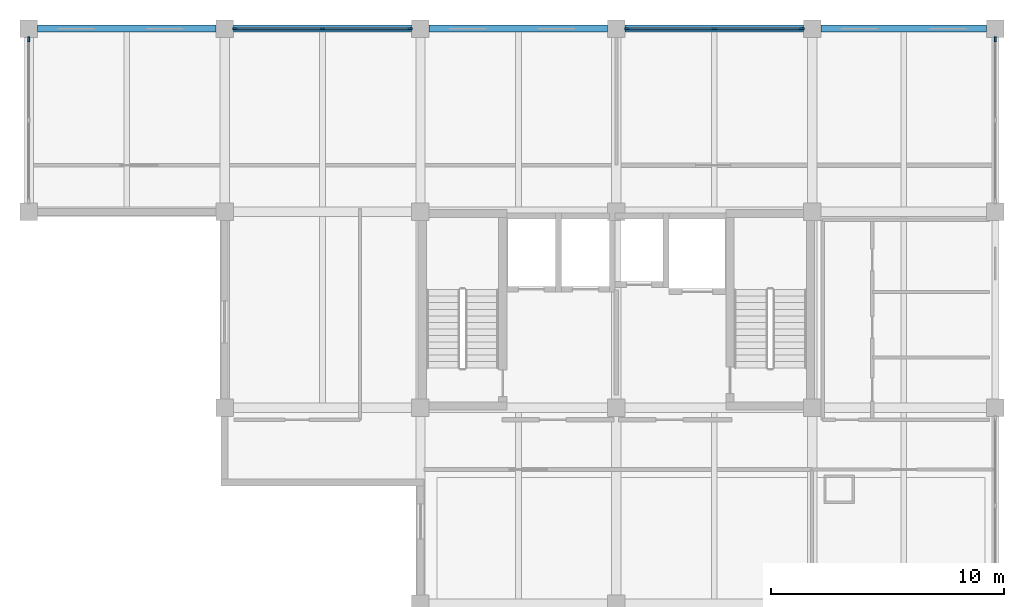
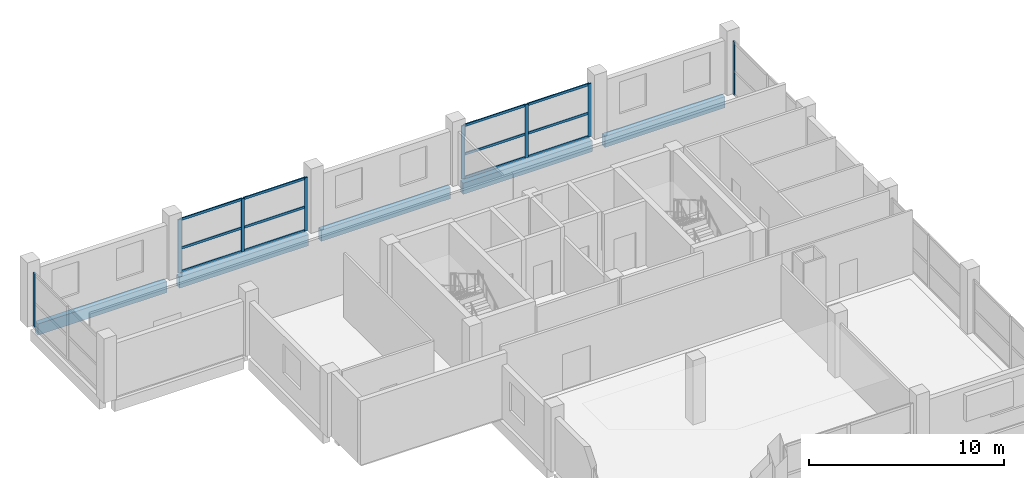
# One storey, part 5 of 9: 20 members, 5 beams, 4 elements without a shape of their own.
"""IFC4 building model written with IfcOpenShell, lengths in metres."""

from ifc_helpers import new_model, si_unit, direction, frame, origin, origin_2d, place, context, subcontext, project, spatial, rectangle, extrude, material, material_profile, profile_set, type_object, element, aggregate, save


model = new_model("IFC4")

# Units and contexts
model_context = context("Model", 3, precision=1e-05, world=origin(), true_north=direction((0.0, 1.0)))
body_context = subcontext(model_context, "Body", "Model", "MODEL_VIEW")
ifc_project = project(units=[si_unit("LENGTHUNIT", "METRE"), si_unit("AREAUNIT", "SQUARE_METRE"), si_unit("VOLUMEUNIT", "CUBIC_METRE"), si_unit("PLANEANGLEUNIT", "RADIAN"), si_unit("MASSUNIT", "GRAM", prefix="KILO")], contexts=[model_context])

# Site, building, storey
site_placement = place(None, origin())
site = spatial("IfcSite", under=ifc_project, at=site_placement, CompositionType="ELEMENT")
building_placement = place(site_placement, origin())
building = spatial("IfcBuilding", under=site, at=building_placement, Name="Brinegate Botanical Conservatory", CompositionType="ELEMENT")
storey_placement = place(building_placement, frame((0.0, 0.0, 48.60009765625)))
storey = spatial("IfcBuildingStorey", under=building, at=storey_placement, Name="L12", CompositionType="ELEMENT", Elevation=48.60009765625)

# Beams
ifc_material_1 = material(Name="Concrete C40/50", Category="concrete")
ifc_material_profile_1 = material_profile(ifc_material_1, rectangle(XDim=0.300048828125, YDim=0.699951171875, at=origin_2d()), Name="RC SPN 300x700")
ifc_profile_set_1 = profile_set([ifc_material_profile_1], Name="Concrete C40/50")
beam_type = type_object("IfcBeamType", Name="Beam_SP-02", PredefinedType="SPANDREL", material=ifc_profile_set_1)
beam_1_placement = place(storey_placement, frame((122.375, 111.449951171875, -0.5400390625), z_axis=(1.0, 0.0, 0.0), x_axis=(0.0, 1.0, 0.0)))
element("IfcBeam", 1, at=beam_1_placement, inside=storey, type_object=beam_type, Name="Beam SP-02 L12 P:16-17", PredefinedType="SPANDREL", context=body_context, shape_type="SweptSolid", body=[
    extrude(rectangle(XDim=0.300048828125, YDim=0.699951171875, at=origin_2d()), origin(), (0.0, 0.0, 1.0), 7.64990234375),
])
beam_2_placement = place(storey_placement, frame((130.77490234375, 111.449951171875, -0.5400390625), z_axis=(1.0, 0.0, 0.0), x_axis=(0.0, 1.0, 0.0)))
element("IfcBeam", 2, at=beam_2_placement, inside=storey, type_object=beam_type, Name="Beam SP-02 L12 P:17-18", PredefinedType="SPANDREL", context=body_context, shape_type="SweptSolid", body=[
    extrude(rectangle(XDim=0.300048828125, YDim=0.699951171875, at=origin_2d()), origin(), (0.0, 0.0, 1.0), 7.650146484375),
])
beam_3_placement = place(storey_placement, frame((139.175048828125, 111.449951171875, -0.5400390625), z_axis=(1.0, 0.0, 0.0), x_axis=(0.0, 1.0, 0.0)))
element("IfcBeam", 3, at=beam_3_placement, inside=storey, type_object=beam_type, Name="Beam SP-02 L12 P:18-19", PredefinedType="SPANDREL", context=body_context, shape_type="SweptSolid", body=[
    extrude(rectangle(XDim=0.300048828125, YDim=0.699951171875, at=origin_2d()), origin(), (0.0, 0.0, 1.0), 7.64990234375),
])
beam_4_placement = place(storey_placement, frame((147.574951171875, 111.449951171875, -0.5400390625), z_axis=(1.0, 0.0, 0.0), x_axis=(0.0, 1.0, 0.0)))
element("IfcBeam", 4, at=beam_4_placement, inside=storey, type_object=beam_type, Name="Beam SP-02 L12 P:19-20", PredefinedType="SPANDREL", context=body_context, shape_type="SweptSolid", body=[
    extrude(rectangle(XDim=0.300048828125, YDim=0.699951171875, at=origin_2d()), origin(), (0.0, 0.0, 1.0), 7.650146484375),
])
beam_5_placement = place(storey_placement, frame((155.97509765625, 111.449951171875, -0.5400390625), z_axis=(1.0, 0.0, 0.0), x_axis=(0.0, 1.0, 0.0)))
element("IfcBeam", 5, at=beam_5_placement, inside=storey, type_object=beam_type, Name="Beam SP-02 L12 P:20-21", PredefinedType="SPANDREL", context=body_context, shape_type="SweptSolid", body=[
    extrude(rectangle(XDim=0.300048828125, YDim=0.699951171875, at=origin_2d()), origin(), (0.0, 0.0, 1.0), 7.099853515625),
])

# Curtain wall, members
ifc_material_2 = material(Name="Thermally broken anodised aluminium AW-6063-T6", Category="aluminium")
curtain_wall_type = type_object("IfcCurtainWallType", Name="CW_CW-TW1", PredefinedType="USERDEFINED", material=ifc_material_2)
curtain_wall_1_placement = place(storey_placement, origin())
curtain_wall_1 = element("IfcCurtainWall", 6, at=curtain_wall_1_placement, inside=storey, type_object=curtain_wall_type, Name="Research lab north curtain wall L12.2", ObjectType="FACTORY CURTAIN WALL", PredefinedType="USERDEFINED")
ifc_material_profile_2 = material_profile(ifc_material_2, rectangle(XDim=0.070068359375, YDim=0.199951171875, at=origin_2d()), Name="ALUM MULLION 70x200")
ifc_profile_set_2 = profile_set([ifc_material_profile_2], Name="Thermally broken anodised aluminium AW-6063-T6")
member_type_1 = type_object("IfcMemberType", Name="Member_ML-03", PredefinedType="MULLION", material=ifc_profile_set_2)
member_1_placement = place(storey_placement, frame((130.85009765625, 111.449951171875, 0.0), z_axis=(0.0, 0.0, 1.0), x_axis=(0.0, 1.0, 0.0)))
member_1 = element("IfcMember", 7, at=member_1_placement, type_object=member_type_1, Name="CW-TW1 mullion 1", PredefinedType="MULLION", context=body_context, shape_type="SweptSolid", body=[
    extrude(rectangle(XDim=0.070068359375, YDim=0.199951171875, at=origin_2d()), origin(), (0.0, 0.0, 1.0), 3.329833984375),
])
member_2_placement = place(storey_placement, frame((134.60009765625, 111.449951171875, 0.0), z_axis=(0.0, 0.0, 1.0), x_axis=(0.0, 1.0, 0.0)))
member_2 = element("IfcMember", 8, at=member_2_placement, type_object=member_type_1, Name="CW-TW1 mullion 2", PredefinedType="MULLION", context=body_context, shape_type="SweptSolid", body=[
    extrude(rectangle(XDim=0.070068359375, YDim=0.199951171875, at=origin_2d()), origin(), (0.0, 0.0, 1.0), 3.329833984375),
])
member_3_placement = place(storey_placement, frame((138.35009765625, 111.449951171875, 0.0), z_axis=(0.0, 0.0, 1.0), x_axis=(0.0, 1.0, 0.0)))
member_3 = element("IfcMember", 9, at=member_3_placement, type_object=member_type_1, Name="CW-TW1 mullion 3", PredefinedType="MULLION", context=body_context, shape_type="SweptSolid", body=[
    extrude(rectangle(XDim=0.070068359375, YDim=0.199951171875, at=origin_2d()), origin(), (0.0, 0.0, 1.0), 3.329833984375),
])

curtain_wall_2_placement = place(storey_placement, origin())
curtain_wall_2 = element("IfcCurtainWall", 10, at=curtain_wall_2_placement, inside=storey, type_object=curtain_wall_type, Name="Research lab north curtain wall L12.4", ObjectType="FACTORY CURTAIN WALL", PredefinedType="USERDEFINED")
member_4_placement = place(storey_placement, frame((147.64990234375, 111.449951171875, 0.0), z_axis=(0.0, 0.0, 1.0), x_axis=(0.0, 1.0, 0.0)))
member_4 = element("IfcMember", 11, at=member_4_placement, type_object=member_type_1, Name="CW-TW1 mullion 1", PredefinedType="MULLION", context=body_context, shape_type="SweptSolid", body=[
    extrude(rectangle(XDim=0.070068359375, YDim=0.199951171875, at=origin_2d()), origin(), (0.0, 0.0, 1.0), 3.329833984375),
])
member_5_placement = place(storey_placement, frame((151.39990234375, 111.449951171875, 0.0), z_axis=(0.0, 0.0, 1.0), x_axis=(0.0, 1.0, 0.0)))
member_5 = element("IfcMember", 12, at=member_5_placement, type_object=member_type_1, Name="CW-TW1 mullion 2", PredefinedType="MULLION", context=body_context, shape_type="SweptSolid", body=[
    extrude(rectangle(XDim=0.070068359375, YDim=0.199951171875, at=origin_2d()), origin(), (0.0, 0.0, 1.0), 3.329833984375),
])
member_6_placement = place(storey_placement, frame((155.14990234375, 111.449951171875, 0.0), z_axis=(0.0, 0.0, 1.0), x_axis=(0.0, 1.0, 0.0)))
member_6 = element("IfcMember", 13, at=member_6_placement, type_object=member_type_1, Name="CW-TW1 mullion 3", PredefinedType="MULLION", context=body_context, shape_type="SweptSolid", body=[
    extrude(rectangle(XDim=0.070068359375, YDim=0.199951171875, at=origin_2d()), origin(), (0.0, 0.0, 1.0), 3.329833984375),
])

# Curtain wall, member
curtain_wall_3_placement = place(storey_placement, origin())
curtain_wall_3 = element("IfcCurtainWall", 14, at=curtain_wall_3_placement, inside=storey, type_object=curtain_wall_type, Name="Tower east curtain wall L12.4", ObjectType="FACTORY CURTAIN WALL", PredefinedType="USERDEFINED")
member_7_placement = place(storey_placement, frame((163.449951171875, 111.0, 0.0), z_axis=(0.0, 0.0, 1.0), x_axis=(1.0, 0.0, 0.0)))
member_7 = element("IfcMember", 15, at=member_7_placement, type_object=member_type_1, Name="CW-TW1 mullion 1", PredefinedType="MULLION", context=body_context, shape_type="SweptSolid", body=[
    extrude(rectangle(XDim=0.070068359375, YDim=0.199951171875, at=origin_2d()), origin(), (0.0, 0.0, 1.0), 3.329833984375),
])
aggregate(curtain_wall_3, [member_7])

curtain_wall_4_placement = place(storey_placement, origin())
curtain_wall_4 = element("IfcCurtainWall", 16, at=curtain_wall_4_placement, inside=storey, type_object=curtain_wall_type, Name="Tower north-west curtain wall L12", ObjectType="FACTORY CURTAIN WALL", PredefinedType="USERDEFINED")
member_8_placement = place(storey_placement, frame((122.0, 111.0, 0.0), z_axis=(0.0, 0.0, 1.0), x_axis=(-1.0, 0.0, 0.0)))
member_8 = element("IfcMember", 17, at=member_8_placement, type_object=member_type_1, Name="CW-TW1 mullion 3", PredefinedType="MULLION", context=body_context, shape_type="SweptSolid", body=[
    extrude(rectangle(XDim=0.070068359375, YDim=0.199951171875, at=origin_2d()), origin(), (0.0, 0.0, 1.0), 3.329833984375),
])
aggregate(curtain_wall_4, [member_8])

# Member
ifc_material_profile_3 = material_profile(ifc_material_2, rectangle(XDim=0.070068359375, YDim=0.14990234375, at=origin_2d()), Name="ALUM TRANSOM 70x150")
ifc_profile_set_3 = profile_set([ifc_material_profile_3], Name="Thermally broken anodised aluminium AW-6063-T6")
member_type_2 = type_object("IfcMemberType", Name="Member_TR-03", PredefinedType="USERDEFINED", material=ifc_profile_set_3)
member_9_placement = place(storey_placement, frame((130.885009765625, 111.449951171875, 0.034912109375), z_axis=(1.0, 0.0, 0.0), x_axis=(0.0, 1.0, 0.0)))
member_9 = element("IfcMember", 18, at=member_9_placement, type_object=member_type_2, Name="CW-TW1 transom 1.1", ObjectType="TRANSOM", PredefinedType="USERDEFINED", context=body_context, shape_type="SweptSolid", body=[
    extrude(rectangle(XDim=0.070068359375, YDim=0.14990234375, at=origin_2d()), origin(), (0.0, 0.0, 1.0), 3.679931640625),
])

member_10_placement = place(storey_placement, frame((130.885009765625, 111.449951171875, 1.4990234375), z_axis=(1.0, 0.0, 0.0), x_axis=(0.0, 1.0, 0.0)))
member_10 = element("IfcMember", 19, at=member_10_placement, type_object=member_type_2, Name="CW-TW1 transom 1.2", ObjectType="TRANSOM", PredefinedType="USERDEFINED", context=body_context, shape_type="SweptSolid", body=[
    extrude(rectangle(XDim=0.070068359375, YDim=0.14990234375, at=origin_2d()), origin(), (0.0, 0.0, 1.0), 3.679931640625),
])

member_11_placement = place(storey_placement, frame((130.885009765625, 111.449951171875, 3.294921875), z_axis=(1.0, 0.0, 0.0), x_axis=(0.0, 1.0, 0.0)))
member_11 = element("IfcMember", 20, at=member_11_placement, type_object=member_type_2, Name="CW-TW1 transom 1.3", ObjectType="TRANSOM", PredefinedType="USERDEFINED", context=body_context, shape_type="SweptSolid", body=[
    extrude(rectangle(XDim=0.070068359375, YDim=0.14990234375, at=origin_2d()), origin(), (0.0, 0.0, 1.0), 3.679931640625),
])

member_12_placement = place(storey_placement, frame((134.635009765625, 111.449951171875, 0.034912109375), z_axis=(1.0, 0.0, 0.0), x_axis=(0.0, 1.0, 0.0)))
member_12 = element("IfcMember", 21, at=member_12_placement, type_object=member_type_2, Name="CW-TW1 transom 2.1", ObjectType="TRANSOM", PredefinedType="USERDEFINED", context=body_context, shape_type="SweptSolid", body=[
    extrude(rectangle(XDim=0.070068359375, YDim=0.14990234375, at=origin_2d()), origin(), (0.0, 0.0, 1.0), 3.679931640625),
])

member_13_placement = place(storey_placement, frame((134.635009765625, 111.449951171875, 1.4990234375), z_axis=(1.0, 0.0, 0.0), x_axis=(0.0, 1.0, 0.0)))
member_13 = element("IfcMember", 22, at=member_13_placement, type_object=member_type_2, Name="CW-TW1 transom 2.2", ObjectType="TRANSOM", PredefinedType="USERDEFINED", context=body_context, shape_type="SweptSolid", body=[
    extrude(rectangle(XDim=0.070068359375, YDim=0.14990234375, at=origin_2d()), origin(), (0.0, 0.0, 1.0), 3.679931640625),
])

member_14_placement = place(storey_placement, frame((134.635009765625, 111.449951171875, 3.294921875), z_axis=(1.0, 0.0, 0.0), x_axis=(0.0, 1.0, 0.0)))
member_14 = element("IfcMember", 23, at=member_14_placement, type_object=member_type_2, Name="CW-TW1 transom 2.3", ObjectType="TRANSOM", PredefinedType="USERDEFINED", context=body_context, shape_type="SweptSolid", body=[
    extrude(rectangle(XDim=0.070068359375, YDim=0.14990234375, at=origin_2d()), origin(), (0.0, 0.0, 1.0), 3.679931640625),
])

aggregate(curtain_wall_1, [member_1, member_2, member_3, member_9, member_10, member_11, member_12, member_13, member_14])

member_15_placement = place(storey_placement, frame((147.68505859375, 111.449951171875, 0.034912109375), z_axis=(1.0, 0.0, 0.0), x_axis=(0.0, 1.0, 0.0)))
member_15 = element("IfcMember", 24, at=member_15_placement, type_object=member_type_2, Name="CW-TW1 transom 1.1", ObjectType="TRANSOM", PredefinedType="USERDEFINED", context=body_context, shape_type="SweptSolid", body=[
    extrude(rectangle(XDim=0.070068359375, YDim=0.14990234375, at=origin_2d()), origin(), (0.0, 0.0, 1.0), 3.679931640625),
])

member_16_placement = place(storey_placement, frame((147.68505859375, 111.449951171875, 1.4990234375), z_axis=(1.0, 0.0, 0.0), x_axis=(0.0, 1.0, 0.0)))
member_16 = element("IfcMember", 25, at=member_16_placement, type_object=member_type_2, Name="CW-TW1 transom 1.2", ObjectType="TRANSOM", PredefinedType="USERDEFINED", context=body_context, shape_type="SweptSolid", body=[
    extrude(rectangle(XDim=0.070068359375, YDim=0.14990234375, at=origin_2d()), origin(), (0.0, 0.0, 1.0), 3.679931640625),
])

member_17_placement = place(storey_placement, frame((147.68505859375, 111.449951171875, 3.294921875), z_axis=(1.0, 0.0, 0.0), x_axis=(0.0, 1.0, 0.0)))
member_17 = element("IfcMember", 26, at=member_17_placement, type_object=member_type_2, Name="CW-TW1 transom 1.3", ObjectType="TRANSOM", PredefinedType="USERDEFINED", context=body_context, shape_type="SweptSolid", body=[
    extrude(rectangle(XDim=0.070068359375, YDim=0.14990234375, at=origin_2d()), origin(), (0.0, 0.0, 1.0), 3.679931640625),
])

member_18_placement = place(storey_placement, frame((151.43505859375, 111.449951171875, 0.034912109375), z_axis=(1.0, 0.0, 0.0), x_axis=(0.0, 1.0, 0.0)))
member_18 = element("IfcMember", 27, at=member_18_placement, type_object=member_type_2, Name="CW-TW1 transom 2.1", ObjectType="TRANSOM", PredefinedType="USERDEFINED", context=body_context, shape_type="SweptSolid", body=[
    extrude(rectangle(XDim=0.070068359375, YDim=0.14990234375, at=origin_2d()), origin(), (0.0, 0.0, 1.0), 3.679931640625),
])

member_19_placement = place(storey_placement, frame((151.43505859375, 111.449951171875, 1.4990234375), z_axis=(1.0, 0.0, 0.0), x_axis=(0.0, 1.0, 0.0)))
member_19 = element("IfcMember", 28, at=member_19_placement, type_object=member_type_2, Name="CW-TW1 transom 2.2", ObjectType="TRANSOM", PredefinedType="USERDEFINED", context=body_context, shape_type="SweptSolid", body=[
    extrude(rectangle(XDim=0.070068359375, YDim=0.14990234375, at=origin_2d()), origin(), (0.0, 0.0, 1.0), 3.679931640625),
])

member_20_placement = place(storey_placement, frame((151.43505859375, 111.449951171875, 3.294921875), z_axis=(1.0, 0.0, 0.0), x_axis=(0.0, 1.0, 0.0)))
member_20 = element("IfcMember", 29, at=member_20_placement, type_object=member_type_2, Name="CW-TW1 transom 2.3", ObjectType="TRANSOM", PredefinedType="USERDEFINED", context=body_context, shape_type="SweptSolid", body=[
    extrude(rectangle(XDim=0.070068359375, YDim=0.14990234375, at=origin_2d()), origin(), (0.0, 0.0, 1.0), 3.679931640625),
])

aggregate(curtain_wall_2, [member_4, member_5, member_6, member_15, member_16, member_17, member_18, member_19, member_20])

save(model, "model.ifc")
